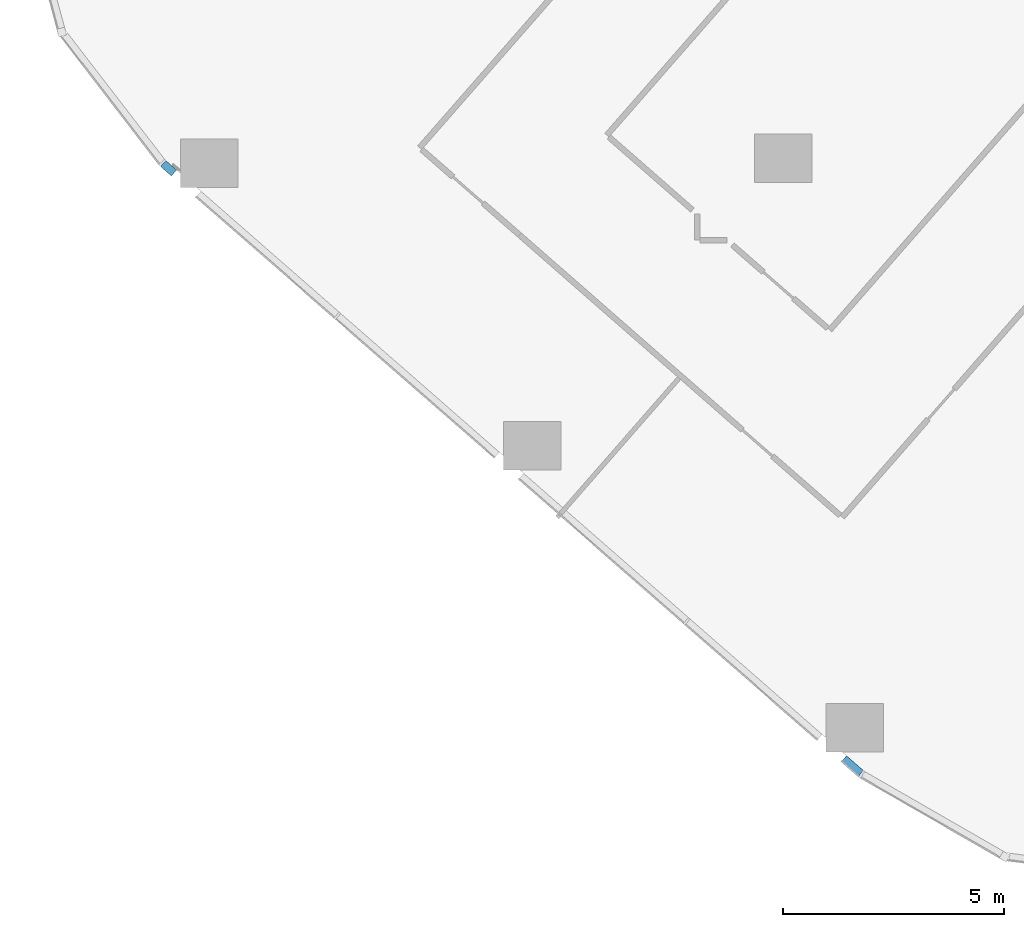
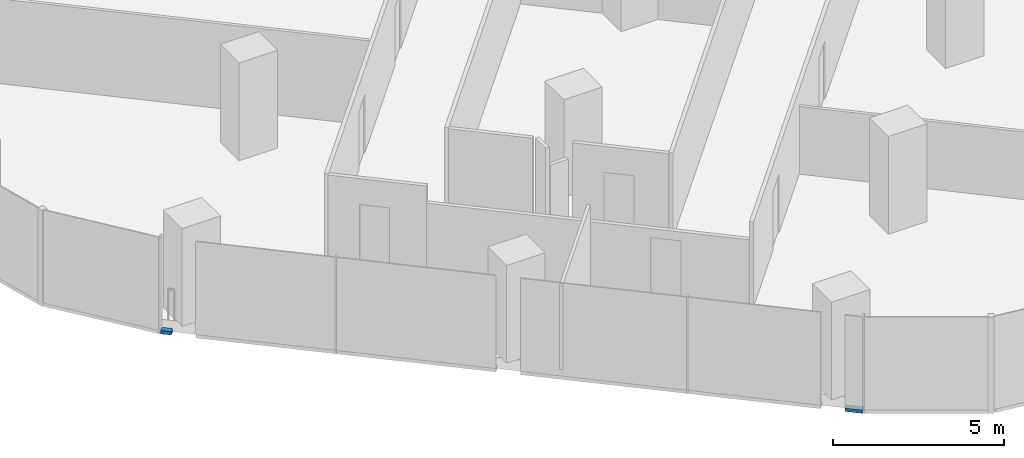
# One storey, part 16 of 38: 2 members, 1 element without a shape of its own.
"""IFC4 building model written with IfcOpenShell, lengths in metres."""

from ifc_helpers import new_model, si_unit, direction, frame, origin, origin_2d, place, context, subcontext, project, spatial, rectangle, extrude, material, material_profile, profile_set, type_object, element, aggregate, save


model = new_model("IFC4")

# Units and contexts
model_context = context("Model", 3, precision=1e-05, world=origin(), true_north=direction((0.0, 1.0)))
body_context = subcontext(model_context, "Body", "Model", "MODEL_VIEW")
ifc_project = project(units=[si_unit("LENGTHUNIT", "METRE"), si_unit("AREAUNIT", "SQUARE_METRE"), si_unit("VOLUMEUNIT", "CUBIC_METRE"), si_unit("PLANEANGLEUNIT", "RADIAN"), si_unit("MASSUNIT", "GRAM", prefix="KILO")], contexts=[model_context])

# Site, building, storey
site_placement = place(None, origin())
site = spatial("IfcSite", under=ifc_project, at=site_placement, CompositionType="ELEMENT")
building_placement = place(site_placement, origin())
building = spatial("IfcBuilding", under=site, at=building_placement, Name="Orlundy Tower", CompositionType="ELEMENT")
storey_placement = place(building_placement, frame((0.0, 0.0, 69.300048828125)))
storey = spatial("IfcBuildingStorey", under=building, at=storey_placement, Name="L16", CompositionType="ELEMENT", Elevation=69.300048828125)

# Curtain wall, members
ifc_material_1 = material(Name="Aluminium bronze anodised", Category="aluminium")
curtain_wall_type = type_object("IfcCurtainWallType", Name="CW1 wall", PredefinedType="NOTDEFINED", material=ifc_material_1)
curtain_wall_placement = place(storey_placement, origin())
curtain_wall = element("IfcCurtainWall", 1, at=curtain_wall_placement, inside=storey, type_object=curtain_wall_type, Name="CW1 run 07", PredefinedType="NOTDEFINED")
ifc_material_2 = material(Name="Aluminium bronze anodised", Category="aluminium")
ifc_material_profile = material_profile(ifc_material_2, rectangle(XDim=0.179931640625, YDim=0.1201171875, at=origin_2d()), Name="CW1 transom 180x120")
ifc_profile_set = profile_set([ifc_material_profile], Name="Aluminium bronze anodised")
member_type = type_object("IfcMemberType", Name="CW1 transom 180x120", PredefinedType="USERDEFINED", material=ifc_profile_set)
member_1_placement = place(storey_placement, frame((-31.33349609375, -51.760009765625, -0.340087890625), z_axis=(-0.752784706073, 0.658266804801, 0.0), x_axis=(-0.658266804801, -0.752784706073, 0.0)))
member_1 = element("IfcMember", 2, at=member_1_placement, type_object=member_type, Name="CW1 transom", ObjectType="TRANSOM", PredefinedType="USERDEFINED", context=body_context, shape_type="SweptSolid", body=[
    extrude(rectangle(XDim=0.179931640625, YDim=0.1201171875, at=origin_2d()), origin(), (0.0, 0.0, 1.0), 0.5087890625),
])
member_2_placement = place(storey_placement, frame((-46.873046875, -38.171875, -0.340087890625), z_axis=(-0.752623362172, 0.658451269808, 0.0), x_axis=(-0.658451269808, -0.752623362172, 0.0)))
member_2 = element("IfcMember", 3, at=member_2_placement, type_object=member_type, Name="CW1 transom", ObjectType="TRANSOM", PredefinedType="USERDEFINED", context=body_context, shape_type="SweptSolid", body=[
    extrude(rectangle(XDim=0.179931640625, YDim=0.1201171875, at=origin_2d()), origin(), (0.0, 0.0, 1.0), 0.323974609375),
])
aggregate(curtain_wall, [member_1, member_2])

save(model, "model.ifc")
